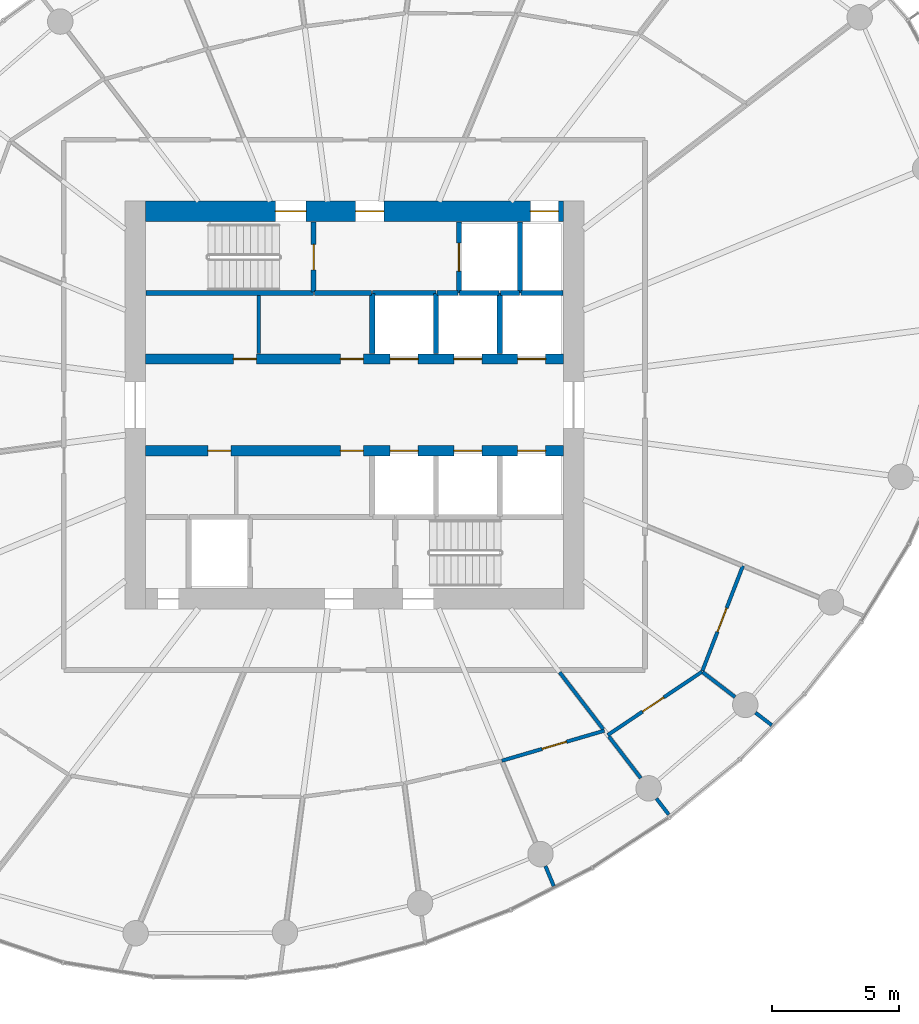
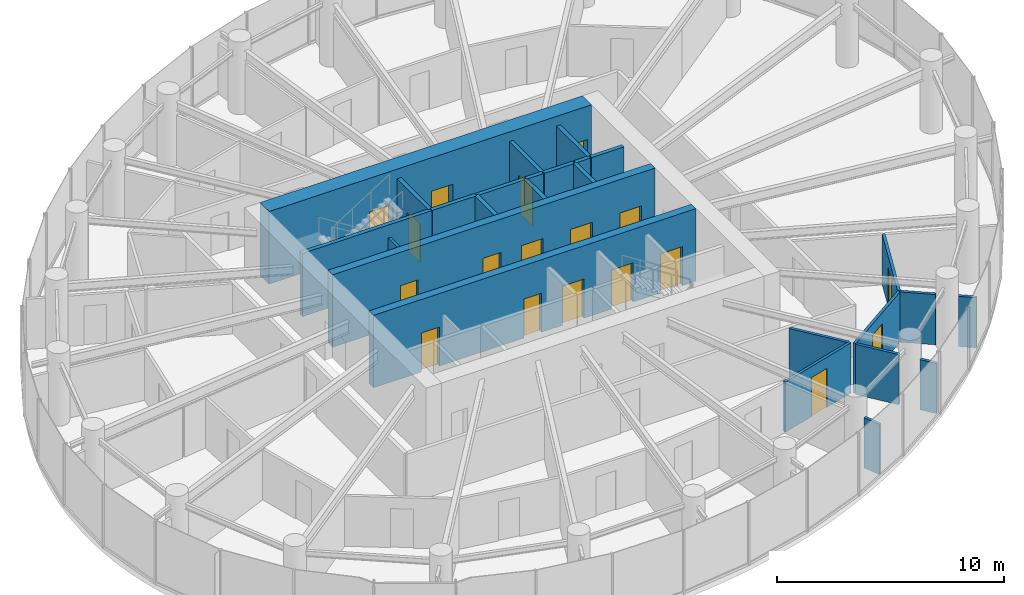
# One storey, part 10 of 15: 26 walls, 18 doors, 18 openings.
"""IFC4 building model written with IfcOpenShell, lengths in metres."""

from ifc_helpers import new_model, si_unit, direction, frame, frame_2d, origin, place, context, subcontext, project, spatial, rectangle, extrude, source, transform, mapped, material, layer, layer_set, type_object, element, fill, save


model = new_model("IFC4")

# Units and contexts
model_context = context("Model", 3, precision=1e-05, world=origin(), true_north=direction((0.0, 1.0)))
body_context = subcontext(model_context, "Body", "Model", "MODEL_VIEW")
ifc_project = project(units=[si_unit("LENGTHUNIT", "METRE"), si_unit("AREAUNIT", "SQUARE_METRE"), si_unit("VOLUMEUNIT", "CUBIC_METRE"), si_unit("PLANEANGLEUNIT", "RADIAN"), si_unit("MASSUNIT", "GRAM", prefix="KILO")], contexts=[model_context])

# Site, building, storey
site_placement = place(None, origin())
site = spatial("IfcSite", under=ifc_project, at=site_placement, CompositionType="ELEMENT")
building_placement = place(site_placement, origin())
building = spatial("IfcBuilding", under=site, at=building_placement, Name="Spindrift Exchange Tower", CompositionType="ELEMENT")
storey_placement = place(building_placement, frame((0.0, 0.0, 176.0)))
storey = spatial("IfcBuildingStorey", under=building, at=storey_placement, Name="L42", CompositionType="ELEMENT", Elevation=176.0)

# Wall, openings, doors
ifc_material_1 = material(Name="Concrete 65 MPa", Category="concrete")
ifc_layer_1 = layer(ifc_material_1, 0.800048828125)
ifc_layer_set_1 = layer_set([ifc_layer_1], Name="RC Core Wall 800 Concrete 65 MPa")
wall_type_1 = type_object("IfcWallType", Name="RC Core Wall 800 Concrete 65 MPa", PredefinedType="SHEAR", material=ifc_layer_set_1)
wall_1_placement = place(storey_placement, frame((60.199951171875, 55.60009765625, 0.0), z_axis=(0.0, 0.0, 1.0), x_axis=(-1.0, 0.0, 0.0)))
wall_1 = element("IfcWall", 1, at=wall_1_placement, inside=storey, type_object=wall_type_1, Name="Core wall N L42", PredefinedType="SHEAR", context=body_context, shape_type="SweptSolid", body=[
    extrude(rectangle(XDim=16.39990234375, YDim=0.800048828125, at=frame_2d((8.199951171875, 0.0))), origin(), (0.0, 0.0, 1.0), 3.89990234375),
])
opening_1_placement = place(wall_1_placement, frame((0.199951171875, 0.0, 0.0)))
opening_1 = element("IfcOpeningElement", 2, at=opening_1_placement, cuts=wall_1, Name="Opening L42-D11", PredefinedType="OPENING", context=body_context, shape_type="SweptSolid", body=[
    extrude(rectangle(XDim=1.10009765625, YDim=2.10009765625, at=frame_2d((0.550048828125, 1.050048828125))), frame((0.0, 0.409912109375, 0.0), z_axis=(0.0, -1.0, 0.0), x_axis=(1.0, 0.0, 0.0)), (0.0, 0.0, 1.0), 0.820068359375),
])
opening_2_placement = place(wall_1_placement, frame((10.10009765625, 0.0, 0.0)))
opening_2 = element("IfcOpeningElement", 3, at=opening_2_placement, cuts=wall_1, Name="Opening L42-D12", PredefinedType="OPENING", context=body_context, shape_type="SweptSolid", body=[
    extrude(rectangle(XDim=1.199951171875, YDim=2.10009765625, at=frame_2d((0.60009765625, 1.050048828125))), frame((0.0, 0.409912109375, 0.0), z_axis=(0.0, -1.0, 0.0), x_axis=(1.0, 0.0, 0.0)), (0.0, 0.0, 1.0), 0.820068359375),
])
opening_3_placement = place(wall_1_placement, frame((7.050048828125, 0.0, 0.0)))
opening_3 = element("IfcOpeningElement", 4, at=opening_3_placement, cuts=wall_1, Name="Opening L42-D14", PredefinedType="OPENING", context=body_context, shape_type="SweptSolid", body=[
    extrude(rectangle(XDim=1.10009765625, YDim=2.10009765625, at=frame_2d((0.550048828125, 1.050048828125))), frame((0.0, 0.409912109375, 0.0), z_axis=(0.0, -1.0, 0.0), x_axis=(1.0, 0.0, 0.0)), (0.0, 0.0, 1.0), 0.820068359375),
])
ifc_material_2 = material(Name="Stainless steel landing door", Category="steel")
door_type_1 = type_object("IfcDoorType", Name="DR-LANDING-1100-SL", OperationType="DOUBLE_DOOR_SLIDING", PredefinedType="USERDEFINED", material=ifc_material_2)
shared_shape_1 = source(origin(), body_context, "Body", "SweptSolid", [
    extrude(rectangle(XDim=1.10009765625, YDim=2.10009765625, at=frame_2d((0.550048828125, 1.050048828125))), frame((0.0, 0.02490234375, 0.0), z_axis=(0.0, -1.0, 0.0), x_axis=(1.0, 0.0, 0.0)), (0.0, 0.0, 1.0), 0.050048828125),
])
door_1_placement = place(opening_1_placement, origin())
door_1 = element("IfcDoor", 5, at=door_1_placement, inside=storey, type_object=door_type_1, Name="L42 Lift landing door 11", ObjectType="LANDING DOOR", OperationType="DOUBLE_DOOR_SLIDING", OverallHeight=2.10009765625, OverallWidth=1.10009765625, PredefinedType="USERDEFINED", context=body_context, shape_type="MappedRepresentation", body=[
    mapped(shared_shape_1, transform((0.0, 0.0, 0.0), scale=1.0)),
])
fill(opening_1, door_1)
ifc_material_3 = material(Name="Steel fire door", Category="steel")
door_type_2 = type_object("IfcDoorType", Name="DR-STAIR-1200", OperationType="NOTDEFINED", PredefinedType="DOOR", material=ifc_material_3)
shared_shape_2 = source(origin(), body_context, "Body", "SweptSolid", [
    extrude(rectangle(XDim=1.199951171875, YDim=2.10009765625, at=frame_2d((0.60009765625, 1.050048828125))), frame((0.0, 0.02490234375, 0.0), z_axis=(0.0, -1.0, 0.0), x_axis=(1.0, 0.0, 0.0)), (0.0, 0.0, 1.0), 0.050048828125),
])
door_2_placement = place(opening_2_placement, origin())
door_2 = element("IfcDoor", 6, at=door_2_placement, inside=storey, type_object=door_type_2, Name="L42 Stair door 12", OperationType="SINGLE_SWING_LEFT", OverallHeight=2.10009765625, OverallWidth=1.199951171875, PredefinedType="DOOR", context=body_context, shape_type="MappedRepresentation", body=[
    mapped(shared_shape_2, transform((0.0, 0.0, 0.0), scale=1.0)),
])
fill(opening_2, door_2)
ifc_material_4 = material(Name="Timber-core fire door", Category="wood")
door_type_3 = type_object("IfcDoorType", Name="DR-LOBBY-1100", OperationType="NOTDEFINED", PredefinedType="DOOR", material=ifc_material_4)
shared_shape_3 = source(origin(), body_context, "Body", "SweptSolid", [
    extrude(rectangle(XDim=1.10009765625, YDim=2.10009765625, at=frame_2d((0.550048828125, 1.050048828125))), frame((0.0, 0.02490234375, 0.0), z_axis=(0.0, -1.0, 0.0), x_axis=(1.0, 0.0, 0.0)), (0.0, 0.0, 1.0), 0.050048828125),
])
door_3_placement = place(opening_3_placement, origin())
door_3 = element("IfcDoor", 7, at=door_3_placement, inside=storey, type_object=door_type_3, Name="L42 Lobby door 14", OperationType="SINGLE_SWING_LEFT", OverallHeight=2.10009765625, OverallWidth=1.10009765625, PredefinedType="DOOR", context=body_context, shape_type="MappedRepresentation", body=[
    mapped(shared_shape_3, transform((0.0, 0.0, 0.0), scale=1.0)),
])
fill(opening_3, door_3)

ifc_layer_2 = layer(ifc_material_1, 0.39990234375)
ifc_layer_set_2 = layer_set([ifc_layer_2], Name="RC Spine Wall 400 Concrete 65 MPa")
wall_type_2 = type_object("IfcWallType", Name="RC Spine Wall 400 Concrete 65 MPa", PredefinedType="SHEAR", material=ifc_layer_set_2)
wall_2_placement = place(storey_placement, frame((43.800048828125, 49.800048828125, 0.0), z_axis=(0.0, 0.0, 1.0), x_axis=(1.0, 0.0, 0.0)))
wall_2 = element("IfcWall", 8, at=wall_2_placement, inside=storey, type_object=wall_type_2, Name="Core spine wall N L42", PredefinedType="SHEAR", context=body_context, shape_type="SweptSolid", body=[
    extrude(rectangle(XDim=16.39990234375, YDim=0.39990234375, at=frame_2d((8.199951171875, 0.0))), origin(), (0.0, 0.0, 1.0), 3.89990234375),
])
opening_4_placement = place(wall_2_placement, frame((9.60009765625, 0.0, 0.0)))
opening_4 = element("IfcOpeningElement", 9, at=opening_4_placement, cuts=wall_2, Name="Opening L42-D3", PredefinedType="OPENING", context=body_context, shape_type="SweptSolid", body=[
    extrude(rectangle(XDim=1.10009765625, YDim=2.10009765625, at=frame_2d((0.550048828125, 1.050048828125))), frame((0.0, 0.2099609375, 0.0), z_axis=(0.0, -1.0, 0.0), x_axis=(1.0, 0.0, 0.0)), (0.0, 0.0, 1.0), 0.419921875),
])
opening_5_placement = place(wall_2_placement, frame((12.10009765625, 0.0, 0.0)))
opening_5 = element("IfcOpeningElement", 10, at=opening_5_placement, cuts=wall_2, Name="Opening L42-D4", PredefinedType="OPENING", context=body_context, shape_type="SweptSolid", body=[
    extrude(rectangle(XDim=1.10009765625, YDim=2.10009765625, at=frame_2d((0.550048828125, 1.050048828125))), frame((0.0, 0.2099609375, 0.0), z_axis=(0.0, -1.0, 0.0), x_axis=(1.0, 0.0, 0.0)), (0.0, 0.0, 1.0), 0.419921875),
])
opening_6_placement = place(wall_2_placement, frame((14.60009765625, 0.0, 0.0)))
opening_6 = element("IfcOpeningElement", 11, at=opening_6_placement, cuts=wall_2, Name="Opening L42-D5", PredefinedType="OPENING", context=body_context, shape_type="SweptSolid", body=[
    extrude(rectangle(XDim=1.10009765625, YDim=2.10009765625, at=frame_2d((0.550048828125, 1.050048828125))), frame((0.0, 0.2099609375, 0.0), z_axis=(0.0, -1.0, 0.0), x_axis=(1.0, 0.0, 0.0)), (0.0, 0.0, 1.0), 0.419921875),
])
opening_7_placement = place(wall_2_placement, frame((3.449951171875, 0.0, 0.0)))
opening_7 = element("IfcOpeningElement", 12, at=opening_7_placement, cuts=wall_2, Name="Opening L42-D48", PredefinedType="OPENING", context=body_context, shape_type="SweptSolid", body=[
    extrude(rectangle(XDim=0.89990234375, YDim=2.10009765625, at=frame_2d((0.449951171875, 1.050048828125))), frame((0.0, 0.2099609375, 0.0), z_axis=(0.0, -1.0, 0.0), x_axis=(1.0, 0.0, 0.0)), (0.0, 0.0, 1.0), 0.419921875),
])
opening_8_placement = place(wall_2_placement, frame((7.64990234375, 0.0, 0.0)))
opening_8 = element("IfcOpeningElement", 13, at=opening_8_placement, cuts=wall_2, Name="Opening L42-D49", PredefinedType="OPENING", context=body_context, shape_type="SweptSolid", body=[
    extrude(rectangle(XDim=0.89990234375, YDim=2.10009765625, at=frame_2d((0.449951171875, 1.050048828125))), frame((0.0, 0.2099609375, 0.0), z_axis=(0.0, -1.0, 0.0), x_axis=(1.0, 0.0, 0.0)), (0.0, 0.0, 1.0), 0.419921875),
])
door_4_placement = place(opening_4_placement, origin())
door_4 = element("IfcDoor", 14, at=door_4_placement, inside=storey, type_object=door_type_1, Name="L42 Lift landing door 3", ObjectType="LANDING DOOR", OperationType="DOUBLE_DOOR_SLIDING", OverallHeight=2.10009765625, OverallWidth=1.10009765625, PredefinedType="USERDEFINED", context=body_context, shape_type="MappedRepresentation", body=[
    mapped(shared_shape_1, transform((0.0, 0.0, 0.0), scale=1.0)),
])
fill(opening_4, door_4)
door_5_placement = place(opening_5_placement, origin())
door_5 = element("IfcDoor", 15, at=door_5_placement, inside=storey, type_object=door_type_1, Name="L42 Lift landing door 4", ObjectType="LANDING DOOR", OperationType="DOUBLE_DOOR_SLIDING", OverallHeight=2.10009765625, OverallWidth=1.10009765625, PredefinedType="USERDEFINED", context=body_context, shape_type="MappedRepresentation", body=[
    mapped(shared_shape_1, transform((0.0, 0.0, 0.0), scale=1.0)),
])
fill(opening_5, door_5)
door_6_placement = place(opening_6_placement, origin())
door_6 = element("IfcDoor", 16, at=door_6_placement, inside=storey, type_object=door_type_1, Name="L42 Lift landing door 5", ObjectType="LANDING DOOR", OperationType="DOUBLE_DOOR_SLIDING", OverallHeight=2.10009765625, OverallWidth=1.10009765625, PredefinedType="USERDEFINED", context=body_context, shape_type="MappedRepresentation", body=[
    mapped(shared_shape_1, transform((0.0, 0.0, 0.0), scale=1.0)),
])
fill(opening_6, door_6)
ifc_material_5 = material(Name="Steel access door", Category="steel")
door_type_4 = type_object("IfcDoorType", Name="DR-RISER-900", OperationType="NOTDEFINED", PredefinedType="DOOR", material=ifc_material_5)
shared_shape_4 = source(origin(), body_context, "Body", "SweptSolid", [
    extrude(rectangle(XDim=0.89990234375, YDim=2.10009765625, at=frame_2d((0.449951171875, 1.050048828125))), frame((0.0, 0.02490234375, 0.0), z_axis=(0.0, -1.0, 0.0), x_axis=(1.0, 0.0, 0.0)), (0.0, 0.0, 1.0), 0.050048828125),
])
door_7_placement = place(opening_7_placement, origin())
door_7 = element("IfcDoor", 17, at=door_7_placement, inside=storey, type_object=door_type_4, Name="L42 Riser door 48", OperationType="SINGLE_SWING_LEFT", OverallHeight=2.10009765625, OverallWidth=0.89990234375, PredefinedType="DOOR", context=body_context, shape_type="MappedRepresentation", body=[
    mapped(shared_shape_4, transform((0.0, 0.0, 0.0), scale=1.0)),
])
fill(opening_7, door_7)
door_8_placement = place(opening_8_placement, origin())
door_8 = element("IfcDoor", 18, at=door_8_placement, inside=storey, type_object=door_type_4, Name="L42 Riser door 49", OperationType="SINGLE_SWING_RIGHT", OverallHeight=2.10009765625, OverallWidth=0.89990234375, PredefinedType="DOOR", context=body_context, shape_type="MappedRepresentation", body=[
    mapped(shared_shape_4, transform((0.0, 0.0, 0.0), scale=1.0)),
])
fill(opening_8, door_8)

wall_3_placement = place(storey_placement, frame((43.800048828125, 46.199951171875, 0.0), z_axis=(0.0, 0.0, 1.0), x_axis=(1.0, 0.0, 0.0)))
wall_3 = element("IfcWall", 19, at=wall_3_placement, inside=storey, type_object=wall_type_2, Name="Core spine wall S L42", PredefinedType="SHEAR", context=body_context, shape_type="SweptSolid", body=[
    extrude(rectangle(XDim=16.39990234375, YDim=0.39990234375, at=frame_2d((8.199951171875, 0.0))), origin(), (0.0, 0.0, 1.0), 3.89990234375),
])
opening_9_placement = place(wall_3_placement, frame((9.60009765625, 0.0, 0.0)))
opening_9 = element("IfcOpeningElement", 20, at=opening_9_placement, cuts=wall_3, Name="Opening L42-D6", PredefinedType="OPENING", context=body_context, shape_type="SweptSolid", body=[
    extrude(rectangle(XDim=1.10009765625, YDim=2.10009765625, at=frame_2d((0.550048828125, 1.050048828125))), frame((0.0, 0.2099609375, 0.0), z_axis=(0.0, -1.0, 0.0), x_axis=(1.0, 0.0, 0.0)), (0.0, 0.0, 1.0), 0.419921875),
])
opening_10_placement = place(wall_3_placement, frame((12.10009765625, 0.0, 0.0)))
opening_10 = element("IfcOpeningElement", 21, at=opening_10_placement, cuts=wall_3, Name="Opening L42-D7", PredefinedType="OPENING", context=body_context, shape_type="SweptSolid", body=[
    extrude(rectangle(XDim=1.10009765625, YDim=2.10009765625, at=frame_2d((0.550048828125, 1.050048828125))), frame((0.0, 0.2099609375, 0.0), z_axis=(0.0, -1.0, 0.0), x_axis=(1.0, 0.0, 0.0)), (0.0, 0.0, 1.0), 0.419921875),
])
opening_11_placement = place(wall_3_placement, frame((14.60009765625, 0.0, 0.0)))
opening_11 = element("IfcOpeningElement", 22, at=opening_11_placement, cuts=wall_3, Name="Opening L42-D8", PredefinedType="OPENING", context=body_context, shape_type="SweptSolid", body=[
    extrude(rectangle(XDim=1.10009765625, YDim=2.10009765625, at=frame_2d((0.550048828125, 1.050048828125))), frame((0.0, 0.2099609375, 0.0), z_axis=(0.0, -1.0, 0.0), x_axis=(1.0, 0.0, 0.0)), (0.0, 0.0, 1.0), 0.419921875),
])
opening_12_placement = place(wall_3_placement, frame((2.449951171875, 0.0, 0.0)))
opening_12 = element("IfcOpeningElement", 23, at=opening_12_placement, cuts=wall_3, Name="Opening L42-D50", PredefinedType="OPENING", context=body_context, shape_type="SweptSolid", body=[
    extrude(rectangle(XDim=0.89990234375, YDim=2.10009765625, at=frame_2d((0.449951171875, 1.050048828125))), frame((0.0, 0.2099609375, 0.0), z_axis=(0.0, -1.0, 0.0), x_axis=(1.0, 0.0, 0.0)), (0.0, 0.0, 1.0), 0.419921875),
])
opening_13_placement = place(wall_3_placement, frame((7.64990234375, 0.0, 0.0)))
opening_13 = element("IfcOpeningElement", 24, at=opening_13_placement, cuts=wall_3, Name="Opening L42-D51", PredefinedType="OPENING", context=body_context, shape_type="SweptSolid", body=[
    extrude(rectangle(XDim=0.89990234375, YDim=2.10009765625, at=frame_2d((0.449951171875, 1.050048828125))), frame((0.0, 0.2099609375, 0.0), z_axis=(0.0, -1.0, 0.0), x_axis=(1.0, 0.0, 0.0)), (0.0, 0.0, 1.0), 0.419921875),
])
door_9_placement = place(opening_9_placement, origin())
door_9 = element("IfcDoor", 25, at=door_9_placement, inside=storey, type_object=door_type_1, Name="L42 Lift landing door 6", ObjectType="LANDING DOOR", OperationType="DOUBLE_DOOR_SLIDING", OverallHeight=2.10009765625, OverallWidth=1.10009765625, PredefinedType="USERDEFINED", context=body_context, shape_type="MappedRepresentation", body=[
    mapped(shared_shape_1, transform((0.0, 0.0, 0.0), scale=1.0)),
])
fill(opening_9, door_9)
door_10_placement = place(opening_10_placement, origin())
door_10 = element("IfcDoor", 26, at=door_10_placement, inside=storey, type_object=door_type_1, Name="L42 Lift landing door 7", ObjectType="LANDING DOOR", OperationType="DOUBLE_DOOR_SLIDING", OverallHeight=2.10009765625, OverallWidth=1.10009765625, PredefinedType="USERDEFINED", context=body_context, shape_type="MappedRepresentation", body=[
    mapped(shared_shape_1, transform((0.0, 0.0, 0.0), scale=1.0)),
])
fill(opening_10, door_10)
door_11_placement = place(opening_11_placement, origin())
door_11 = element("IfcDoor", 27, at=door_11_placement, inside=storey, type_object=door_type_1, Name="L42 Lift landing door 8", ObjectType="LANDING DOOR", OperationType="DOUBLE_DOOR_SLIDING", OverallHeight=2.10009765625, OverallWidth=1.10009765625, PredefinedType="USERDEFINED", context=body_context, shape_type="MappedRepresentation", body=[
    mapped(shared_shape_1, transform((0.0, 0.0, 0.0), scale=1.0)),
])
fill(opening_11, door_11)
door_12_placement = place(opening_12_placement, origin())
door_12 = element("IfcDoor", 28, at=door_12_placement, inside=storey, type_object=door_type_4, Name="L42 Riser door 50", OperationType="SINGLE_SWING_LEFT", OverallHeight=2.10009765625, OverallWidth=0.89990234375, PredefinedType="DOOR", context=body_context, shape_type="MappedRepresentation", body=[
    mapped(shared_shape_4, transform((0.0, 0.0, 0.0), scale=1.0)),
])
fill(opening_12, door_12)
door_13_placement = place(opening_13_placement, origin())
door_13 = element("IfcDoor", 29, at=door_13_placement, inside=storey, type_object=door_type_4, Name="L42 Riser door 51", OperationType="SINGLE_SWING_RIGHT", OverallHeight=2.10009765625, OverallWidth=0.89990234375, PredefinedType="DOOR", context=body_context, shape_type="MappedRepresentation", body=[
    mapped(shared_shape_4, transform((0.0, 0.0, 0.0), scale=1.0)),
])
fill(opening_13, door_13)

# Wall, opening, door
ifc_material_6 = material(Name="Fire-rated plasterboard partition", Category="gypsum")
ifc_layer_3 = layer(ifc_material_6, 0.139892578125)
ifc_layer_set_3 = layer_set([ifc_layer_3], Name="W-PART-140")
wall_type_3 = type_object("IfcWallType", Name="W-PART-140", PredefinedType="PARTITIONING", material=ifc_layer_set_3)
wall_4_placement = place(storey_placement, frame((65.639892578125, 37.53369140625, 0.0), z_axis=(0.0, 0.0, 1.0), x_axis=(-0.83011613123, -0.557590538543, 0.0)))
wall_4 = element("IfcWall", 30, at=wall_4_placement, inside=storey, type_object=wall_type_3, Name="L42 Partition wall 52", PredefinedType="PARTITIONING", context=body_context, shape_type="SweptSolid", body=[
    extrude(rectangle(XDim=4.458740234375, YDim=0.139892578125, at=frame_2d((2.2294921875, 0.0))), origin(), (0.0, 0.0, 1.0), 2.699951171875),
])
opening_14_placement = place(wall_4_placement, frame((1.80859375, 0.0, 0.0)))
opening_14 = element("IfcOpeningElement", 31, at=opening_14_placement, cuts=wall_4, Name="Opening L42-D36", PredefinedType="OPENING", context=body_context, shape_type="SweptSolid", body=[
    extrude(rectangle(XDim=1.0, YDim=2.10009765625, at=frame_2d((0.5, 1.050048828125))), frame((0.0, 0.079833984375, 0.0), z_axis=(0.0, -1.0, 0.0), x_axis=(1.0, 0.0, 0.0)), (0.0, 0.0, 1.0), 0.159912109375),
])
door_type_5 = type_object("IfcDoorType", Name="DR-ROOM-1000", OperationType="NOTDEFINED", PredefinedType="DOOR", material=ifc_material_4)
shared_shape_5 = source(origin(), body_context, "Body", "SweptSolid", [
    extrude(rectangle(XDim=1.0, YDim=2.10009765625, at=frame_2d((0.5, 1.050048828125))), frame((0.0, 0.02490234375, 0.0), z_axis=(0.0, -1.0, 0.0), x_axis=(1.0, 0.0, 0.0)), (0.0, 0.0, 1.0), 0.050048828125),
])
door_14_placement = place(opening_14_placement, origin())
door_14 = element("IfcDoor", 32, at=door_14_placement, inside=storey, type_object=door_type_5, Name="L42 Door 36", OperationType="SINGLE_SWING_LEFT", OverallHeight=2.10009765625, OverallWidth=1.0, PredefinedType="DOOR", context=body_context, shape_type="MappedRepresentation", body=[
    mapped(shared_shape_5, transform((0.0, 0.0, 0.0), scale=1.0)),
])
fill(opening_14, door_14)

wall_5_placement = place(storey_placement, frame((67.24267578125, 41.686279296875, 0.0), z_axis=(0.0, 0.0, 1.0), x_axis=(-0.36010004646, -0.932913691903, 0.0)))
wall_5 = element("IfcWall", 33, at=wall_5_placement, inside=storey, type_object=wall_type_3, Name="L42 Partition wall 53", PredefinedType="PARTITIONING", context=body_context, shape_type="SweptSolid", body=[
    extrude(rectangle(XDim=4.421142578125, YDim=0.139892578125, at=frame_2d((2.21044921875, 0.0))), origin(), (0.0, 0.0, 1.0), 2.699951171875),
])
opening_15_placement = place(wall_5_placement, frame((1.77099609375, 0.0, 0.0)))
opening_15 = element("IfcOpeningElement", 34, at=opening_15_placement, cuts=wall_5, Name="Opening L42-D37", PredefinedType="OPENING", context=body_context, shape_type="SweptSolid", body=[
    extrude(rectangle(XDim=1.0, YDim=2.10009765625, at=frame_2d((0.5, 1.050048828125))), frame((0.0, 0.079833984375, 0.0), z_axis=(0.0, -1.0, 0.0), x_axis=(1.0, 0.0, 0.0)), (0.0, 0.0, 1.0), 0.159912109375),
])
door_15_placement = place(opening_15_placement, origin())
door_15 = element("IfcDoor", 35, at=door_15_placement, inside=storey, type_object=door_type_5, Name="L42 Door 37", OperationType="SINGLE_SWING_RIGHT", OverallHeight=2.10009765625, OverallWidth=1.0, PredefinedType="DOOR", context=body_context, shape_type="MappedRepresentation", body=[
    mapped(shared_shape_5, transform((0.0, 0.0, 0.0), scale=1.0)),
])
fill(opening_15, door_15)

wall_6_placement = place(storey_placement, frame((61.806884765625, 35.21923828125, 0.0), z_axis=(0.0, 0.0, 1.0), x_axis=(-0.959548852108, -0.281542182308, 0.0)))
wall_6 = element("IfcWall", 36, at=wall_6_placement, inside=storey, type_object=wall_type_3, Name="L42 Partition wall 62", PredefinedType="PARTITIONING", context=body_context, shape_type="SweptSolid", body=[
    extrude(rectangle(XDim=4.193603515625, YDim=0.139892578125, at=frame_2d((2.0966796875, 0.0))), origin(), (0.0, 0.0, 1.0), 2.699951171875),
])
opening_16_placement = place(wall_6_placement, frame((1.543701171875, 0.0, 0.0)))
opening_16 = element("IfcOpeningElement", 37, at=opening_16_placement, cuts=wall_6, Name="Opening L42-D34", PredefinedType="OPENING", context=body_context, shape_type="SweptSolid", body=[
    extrude(rectangle(XDim=1.0, YDim=2.10009765625, at=frame_2d((0.5, 1.050048828125))), frame((0.0, 0.079833984375, 0.0), z_axis=(0.0, -1.0, 0.0), x_axis=(1.0, 0.0, 0.0)), (0.0, 0.0, 1.0), 0.159912109375),
])
door_16_placement = place(opening_16_placement, origin())
door_16 = element("IfcDoor", 38, at=door_16_placement, inside=storey, type_object=door_type_5, Name="L42 Door 34", OperationType="SINGLE_SWING_LEFT", OverallHeight=2.10009765625, OverallWidth=1.0, PredefinedType="DOOR", context=body_context, shape_type="MappedRepresentation", body=[
    mapped(shared_shape_5, transform((0.0, 0.0, 0.0), scale=1.0)),
])
fill(opening_16, door_16)

# Walls
wall_7_placement = place(storey_placement, frame((60.04931640625, 37.510009765625, 0.0), z_axis=(0.0, 0.0, 1.0), x_axis=(0.608728570765, -0.793378552228, 0.0)))
element("IfcWall", 39, at=wall_7_placement, inside=storey, type_object=wall_type_3, Name="L42 Partition wall 75", PredefinedType="PARTITIONING", context=body_context, shape_type="SweptSolid", body=[
    extrude(rectangle(XDim=2.812255859375, YDim=0.139892578125, at=frame_2d((1.40625, 0.0))), origin(), (0.0, 0.0, 1.0), 2.699951171875),
])
wall_8_placement = place(storey_placement, frame((48.25, 50.010009765625, 0.0), z_axis=(0.0, 0.0, 1.0), x_axis=(0.0, 1.0, 0.0)))
element("IfcWall", 40, at=wall_8_placement, inside=storey, type_object=wall_type_3, Name="L42 Partition wall 78", PredefinedType="PARTITIONING", context=body_context, shape_type="SweptSolid", body=[
    extrude(rectangle(XDim=2.2900390625, YDim=0.139892578125, at=frame_2d((1.14501953125, 0.0))), origin(), (0.0, 0.0, 1.0), 2.699951171875),
])
wall_9_placement = place(storey_placement, frame((61.9814453125, 34.99169921875, 0.0), z_axis=(0.0, 0.0, 1.0), x_axis=(0.608771999469, -0.79334522918, 0.0)))
element("IfcWall", 41, at=wall_9_placement, inside=storey, type_object=wall_type_3, Name="L42 Partition wall 80", PredefinedType="PARTITIONING", context=body_context, shape_type="SweptSolid", body=[
    extrude(rectangle(XDim=2.062255859375, YDim=0.139892578125, at=frame_2d((1.03125, 0.0))), origin(), (0.0, 0.0, 1.0), 2.699951171875),
])
wall_10_placement = place(storey_placement, frame((65.663818359375, 37.515380859375, 0.0), z_axis=(0.0, 0.0, 1.0), x_axis=(0.793319585816, -0.608805416173, 0.0)))
element("IfcWall", 42, at=wall_10_placement, inside=storey, type_object=wall_type_3, Name="L42 Partition wall 81", PredefinedType="PARTITIONING", context=body_context, shape_type="SweptSolid", body=[
    extrude(rectangle(XDim=1.603759765625, YDim=0.139892578125, at=frame_2d((0.8017578125, 0.0))), origin(), (0.0, 0.0, 1.0), 2.699951171875),
])
wall_11_placement = place(storey_placement, frame((59.494140625, 29.90771484375, 0.0), z_axis=(0.0, 0.0, 1.0), x_axis=(0.382722863119, -0.923863198772, 0.0)))
element("IfcWall", 43, at=wall_11_placement, inside=storey, type_object=wall_type_3, Name="L42 Partition wall 95", PredefinedType="PARTITIONING", context=body_context, shape_type="SweptSolid", body=[
    extrude(rectangle(XDim=0.852294921875, YDim=0.139892578125, at=frame_2d((0.42626953125, 0.0))), origin(), (0.0, 0.0, 1.0), 2.699951171875),
])
wall_12_placement = place(storey_placement, frame((67.736572265625, 35.9248046875, 0.0), z_axis=(0.0, 0.0, 1.0), x_axis=(0.793425360376, -0.608667559109, 0.0)))
element("IfcWall", 44, at=wall_12_placement, inside=storey, type_object=wall_type_3, Name="L42 Partition wall 101", PredefinedType="PARTITIONING", context=body_context, shape_type="SweptSolid", body=[
    extrude(rectangle(XDim=0.803466796875, YDim=0.139892578125, at=frame_2d((0.40185546875, 0.0))), origin(), (0.0, 0.0, 1.0), 2.699951171875),
])
wall_13_placement = place(storey_placement, frame((63.85107421875, 32.555419921875, 0.0), z_axis=(0.0, 0.0, 1.0), x_axis=(0.608659697441, -0.793431391307, 0.0)))
element("IfcWall", 45, at=wall_13_placement, inside=storey, type_object=wall_type_3, Name="L42 Partition wall 102", PredefinedType="PARTITIONING", context=body_context, shape_type="SweptSolid", body=[
    extrude(rectangle(XDim=0.7861328125, YDim=0.139892578125, at=frame_2d((0.39306640625, 0.0))), origin(), (0.0, 0.0, 1.0), 2.699951171875),
])

# Wall, opening, door
ifc_material_7 = material(Name="Concrete 40 MPa", Category="concrete")
ifc_layer_4 = layer(ifc_material_7, 0.199951171875)
ifc_layer_set_4 = layer_set([ifc_layer_4], Name="W-SHAFT-200")
wall_type_4 = type_object("IfcWallType", Name="W-SHAFT-200", PredefinedType="SOLIDWALL", material=ifc_layer_set_4)
wall_14_placement = place(storey_placement, frame((56.10009765625, 55.179931640625, 0.0), z_axis=(0.0, 0.0, 1.0), x_axis=(0.0, -1.0, 0.0)))
wall_14 = element("IfcWall", 46, at=wall_14_placement, inside=storey, type_object=wall_type_4, Name="L42 Shaft wall 7", PredefinedType="SOLIDWALL", context=body_context, shape_type="SweptSolid", body=[
    extrude(rectangle(XDim=2.780029296875, YDim=0.199951171875, at=frame_2d((1.39013671875, 0.0))), origin(), (0.0, 0.0, 1.0), 3.39990234375),
])
opening_17_placement = place(wall_14_placement, frame((0.830078125, 0.0, 0.0)))
opening_17 = element("IfcOpeningElement", 47, at=opening_17_placement, cuts=wall_14, Name="Opening L42-D9", PredefinedType="OPENING", context=body_context, shape_type="SweptSolid", body=[
    extrude(rectangle(XDim=1.10009765625, YDim=2.10009765625, at=frame_2d((0.550048828125, 1.050048828125))), frame((0.0, 0.10986328125, 0.0), z_axis=(0.0, -1.0, 0.0), x_axis=(1.0, 0.0, 0.0)), (0.0, 0.0, 1.0), 0.219970703125),
])
door_17_placement = place(opening_17_placement, origin())
door_17 = element("IfcDoor", 48, at=door_17_placement, inside=storey, type_object=door_type_1, Name="L42 Lift landing door 9", ObjectType="LANDING DOOR", OperationType="DOUBLE_DOOR_SLIDING", OverallHeight=2.10009765625, OverallWidth=1.10009765625, PredefinedType="USERDEFINED", context=body_context, shape_type="MappedRepresentation", body=[
    mapped(shared_shape_1, transform((0.0, 0.0, 0.0), scale=1.0)),
])
fill(opening_17, door_17)

# Walls
wall_15_placement = place(storey_placement, frame((58.5, 52.39990234375, 0.0), z_axis=(0.0, 0.0, 1.0), x_axis=(0.0, 1.0, 0.0)))
element("IfcWall", 49, at=wall_15_placement, inside=storey, type_object=wall_type_4, Name="L42 Shaft wall 8", PredefinedType="SOLIDWALL", context=body_context, shape_type="SweptSolid", body=[
    extrude(rectangle(XDim=2.780029296875, YDim=0.199951171875, at=frame_2d((1.39013671875, 0.0))), origin(), (0.0, 0.0, 1.0), 3.39990234375),
])
wall_16_placement = place(storey_placement, frame((55.199951171875, 52.39990234375, 0.0), z_axis=(0.0, 0.0, 1.0), x_axis=(-1.0, 0.0, 0.0)))
element("IfcWall", 50, at=wall_16_placement, inside=storey, type_object=wall_type_4, Name="L42 Shaft wall 9", PredefinedType="SOLIDWALL", context=body_context, shape_type="SweptSolid", body=[
    extrude(rectangle(XDim=2.5, YDim=0.199951171875, at=frame_2d((1.25, 0.0))), origin(), (0.0, 0.0, 1.0), 3.39990234375),
])
for number, where, z_axis, x_axis, name in (
    (51, (52.699951171875, 52.3701171875, 0.0), (0.0, 0.0, 1.0), (0.0, -1.0, 0.0), "L42 Shaft wall 14"),
    (52, (55.199951171875, 50.010009765625, 0.0), (0.0, 0.0, 1.0), (0.0, 1.0, 0.0), "L42 Shaft wall 16"),
):
    element("IfcWall", number, at=place(storey_placement, frame(where, z_axis=z_axis, x_axis=x_axis)), inside=storey, type_object=wall_type_4, Name=name, PredefinedType="SOLIDWALL", context=body_context, shape_type="SweptSolid", body=[
        extrude(rectangle(XDim=2.360107421875, YDim=0.199951171875, at=frame_2d((1.18017578125, 0.0))), origin(), (0.0, 0.0, 1.0), 3.39990234375),
    ])
wall_17_placement = place(storey_placement, frame((57.699951171875, 50.010009765625, 0.0), z_axis=(0.0, 0.0, 1.0), x_axis=(0.0, 1.0, 0.0)))
element("IfcWall", 53, at=wall_17_placement, inside=storey, type_object=wall_type_4, Name="L42 Shaft wall 18", PredefinedType="SOLIDWALL", context=body_context, shape_type="SweptSolid", body=[
    extrude(rectangle(XDim=2.389892578125, YDim=0.199951171875, at=frame_2d((1.19482421875, 0.0))), origin(), (0.0, 0.0, 1.0), 3.39990234375),
])
wall_18_placement = place(storey_placement, frame((60.179931640625, 52.39990234375, 0.0), z_axis=(0.0, 0.0, 1.0), x_axis=(-1.0, 0.0, 0.0)))
element("IfcWall", 54, at=wall_18_placement, inside=storey, type_object=wall_type_4, Name="L42 Shaft wall 21", PredefinedType="SOLIDWALL", context=body_context, shape_type="SweptSolid", body=[
    extrude(rectangle(XDim=1.64990234375, YDim=0.199951171875, at=frame_2d((0.824951171875, 0.0))), origin(), (0.0, 0.0, 1.0), 3.39990234375),
])
wall_19_placement = place(storey_placement, frame((57.669921875, 52.39990234375, 0.0), z_axis=(0.0, 0.0, 1.0), x_axis=(-1.0, 0.0, 0.0)))
element("IfcWall", 55, at=wall_19_placement, inside=storey, type_object=wall_type_4, Name="L42 Shaft wall 23", PredefinedType="SOLIDWALL", context=body_context, shape_type="SweptSolid", body=[
    extrude(rectangle(XDim=1.5400390625, YDim=0.199951171875, at=frame_2d((0.77001953125, 0.0))), origin(), (0.0, 0.0, 1.0), 3.39990234375),
])
wall_20_placement = place(storey_placement, frame((56.070068359375, 52.39990234375, 0.0), z_axis=(0.0, 0.0, 1.0), x_axis=(-1.0, 0.0, 0.0)))
element("IfcWall", 56, at=wall_20_placement, inside=storey, type_object=wall_type_4, Name="L42 Shaft wall 25", PredefinedType="SOLIDWALL", context=body_context, shape_type="SweptSolid", body=[
    extrude(rectangle(XDim=0.840087890625, YDim=0.199951171875, at=frame_2d((0.419921875, 0.0))), origin(), (0.0, 0.0, 1.0), 3.39990234375),
])
wall_21_placement = place(storey_placement, frame((58.469970703125, 52.39990234375, 0.0), z_axis=(0.0, 0.0, 1.0), x_axis=(-1.0, 0.0, 0.0)))
element("IfcWall", 57, at=wall_21_placement, inside=storey, type_object=wall_type_4, Name="L42 Shaft wall 26", PredefinedType="SOLIDWALL", context=body_context, shape_type="SweptSolid", body=[
    extrude(rectangle(XDim=0.739990234375, YDim=0.199951171875, at=frame_2d((0.3701171875, 0.0))), origin(), (0.0, 0.0, 1.0), 3.39990234375),
])
ifc_layer_5 = layer(ifc_material_7, 0.199951171875)
ifc_layer_set_5 = layer_set([ifc_layer_5], Name="W-SHAFT-200-LB")
wall_type_5 = type_object("IfcWallType", Name="W-SHAFT-200-LB", PredefinedType="SOLIDWALL", material=ifc_layer_set_5)
wall_22_placement = place(storey_placement, frame((43.820068359375, 52.39990234375, 0.0), z_axis=(0.0, 0.0, 1.0), x_axis=(1.0, 0.0, 0.0)))
element("IfcWall", 58, at=wall_22_placement, inside=storey, type_object=wall_type_5, Name="L42 Shaft wall 1", PredefinedType="SOLIDWALL", context=body_context, shape_type="SweptSolid", body=[
    extrude(rectangle(XDim=6.579833984375, YDim=0.199951171875, at=frame_2d((3.2900390625, 0.0))), origin(), (0.0, 0.0, 1.0), 3.39990234375),
])

# Wall, opening, door
wall_23_placement = place(storey_placement, frame((50.39990234375, 52.429931640625, 0.0), z_axis=(0.0, 0.0, 1.0), x_axis=(0.0, 1.0, 0.0)))
wall_23 = element("IfcWall", 59, at=wall_23_placement, inside=storey, type_object=wall_type_5, Name="L42 Shaft wall 5", PredefinedType="SOLIDWALL", context=body_context, shape_type="SweptSolid", body=[
    extrude(rectangle(XDim=2.75, YDim=0.199951171875, at=frame_2d((1.375, 0.0))), origin(), (0.0, 0.0, 1.0), 3.39990234375),
])
opening_18_placement = place(wall_23_placement, frame((0.8701171875, 0.0, 0.0)))
opening_18 = element("IfcOpeningElement", 60, at=opening_18_placement, cuts=wall_23, Name="Opening L42-D13", PredefinedType="OPENING", context=body_context, shape_type="SweptSolid", body=[
    extrude(rectangle(XDim=1.0, YDim=2.10009765625, at=frame_2d((0.5, 1.050048828125))), frame((0.0, 0.10986328125, 0.0), z_axis=(0.0, -1.0, 0.0), x_axis=(1.0, 0.0, 0.0)), (0.0, 0.0, 1.0), 0.219970703125),
])
door_type_6 = type_object("IfcDoorType", Name="DR-STAIR-1000", OperationType="NOTDEFINED", PredefinedType="DOOR", material=ifc_material_3)
shared_shape_6 = source(origin(), body_context, "Body", "SweptSolid", [
    extrude(rectangle(XDim=1.0, YDim=2.10009765625, at=frame_2d((0.5, 1.050048828125))), frame((0.0, 0.02490234375, 0.0), z_axis=(0.0, -1.0, 0.0), x_axis=(1.0, 0.0, 0.0)), (0.0, 0.0, 1.0), 0.050048828125),
])
door_18_placement = place(opening_18_placement, origin())
door_18 = element("IfcDoor", 61, at=door_18_placement, inside=storey, type_object=door_type_6, Name="L42 Stair door 13", OperationType="SINGLE_SWING_RIGHT", OverallHeight=2.10009765625, OverallWidth=1.0, PredefinedType="DOOR", context=body_context, shape_type="MappedRepresentation", body=[
    mapped(shared_shape_6, transform((0.0, 0.0, 0.0), scale=1.0)),
])
fill(opening_18, door_18)

# Wall
wall_24_placement = place(storey_placement, frame((50.429931640625, 52.39990234375, 0.0), z_axis=(0.0, 0.0, 1.0), x_axis=(1.0, 0.0, 0.0)))
element("IfcWall", 62, at=wall_24_placement, inside=storey, type_object=wall_type_5, Name="L42 Shaft wall 19", PredefinedType="SOLIDWALL", context=body_context, shape_type="SweptSolid", body=[
    extrude(rectangle(XDim=2.239990234375, YDim=0.199951171875, at=frame_2d((1.1201171875, 0.0))), origin(), (0.0, 0.0, 1.0), 3.39990234375),
])

save(model, "model.ifc")
